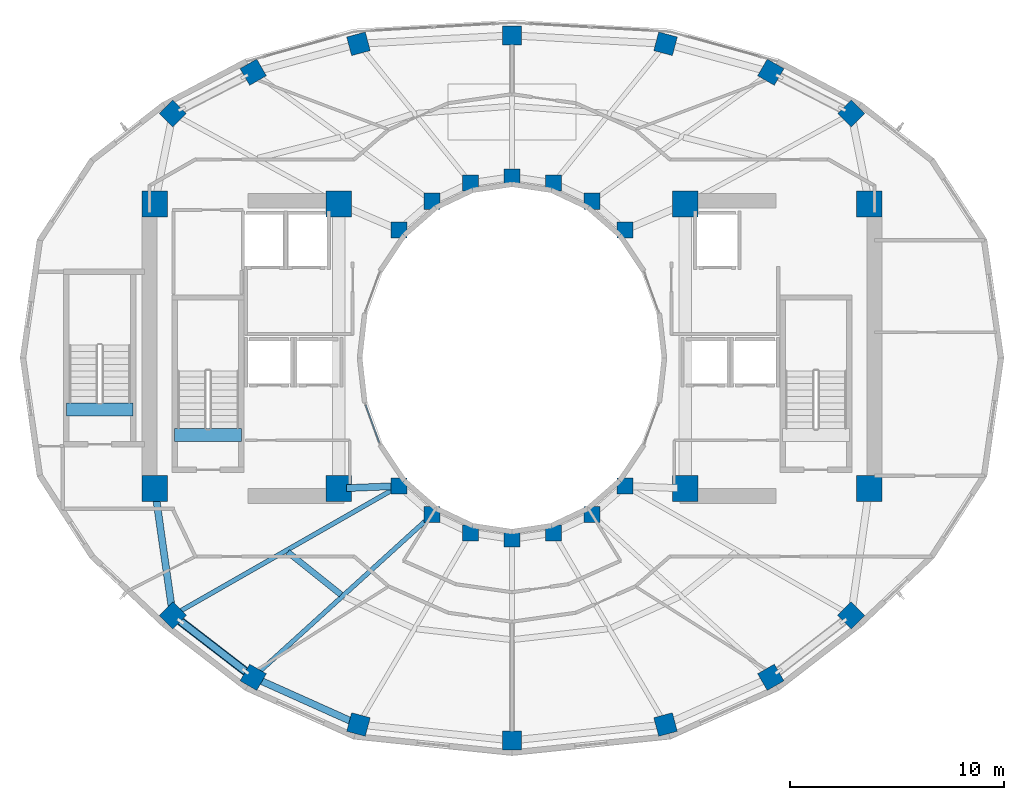
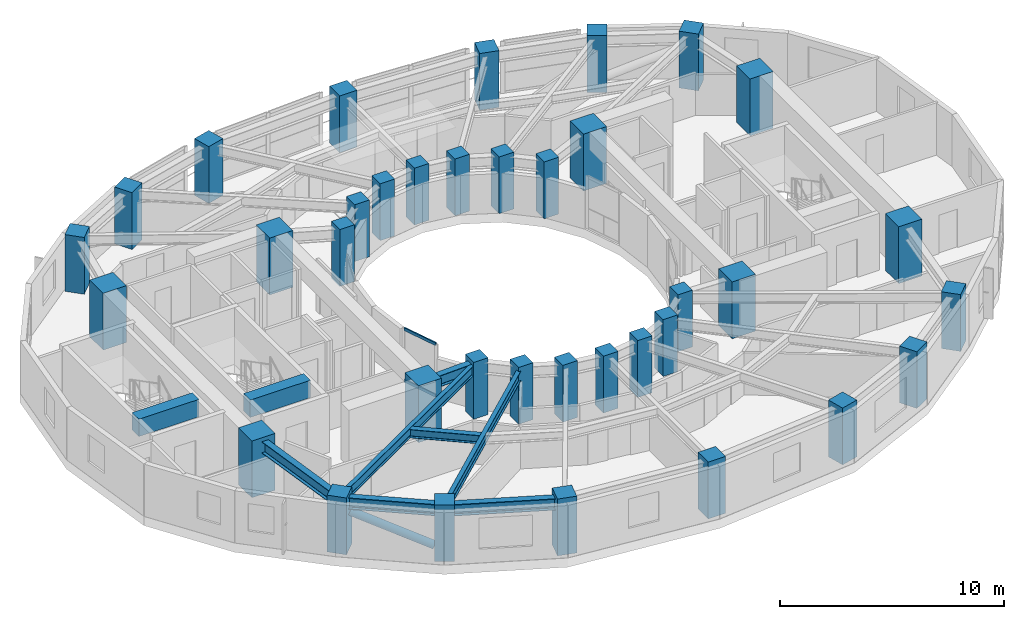
# One storey, part 1 of 20: 36 columns, 9 beams, 3 members, 1 element without a shape of its own.
"""IFC4 building model written with IfcOpenShell, lengths in metres."""

from ifc_helpers import new_model, si_unit, direction, frame, origin, origin_2d, place, context, subcontext, project, spatial, rectangle, hollow_rectangle, hollow_circle, i_section, extrude, material, layer, layer_set, material_profile, profile_set, type_object, element, aggregate, save


model = new_model("IFC4")

# Units and contexts
model_context = context("Model", 3, precision=1e-05, world=origin(), true_north=direction((0.0, 1.0)))
body_context = subcontext(model_context, "Body", "Model", "MODEL_VIEW")
ifc_project = project(units=[si_unit("LENGTHUNIT", "METRE"), si_unit("AREAUNIT", "SQUARE_METRE"), si_unit("VOLUMEUNIT", "CUBIC_METRE"), si_unit("PLANEANGLEUNIT", "RADIAN"), si_unit("MASSUNIT", "GRAM", prefix="KILO")], contexts=[model_context])

# Site, building, storey
site_placement = place(None, origin())
site = spatial("IfcSite", under=ifc_project, at=site_placement, CompositionType="ELEMENT")
building_placement = place(site_placement, origin())
building = spatial("IfcBuilding", under=site, at=building_placement, Name="Solvane Sanctuary Tower", CompositionType="ELEMENT")
storey_placement = place(building_placement, frame((0.0, 0.0, 137.39990234375)))
storey = spatial("IfcBuildingStorey", under=building, at=storey_placement, Name="L41", CompositionType="ELEMENT", Elevation=137.39990234375)

# Columns
ifc_material_1 = material(Name="Concrete C50/60", Category="concrete")
ifc_material_profile_1 = material_profile(ifc_material_1, rectangle(XDim=0.75, YDim=0.75, at=origin_2d()), Name="RC750X750")
ifc_profile_set_1 = profile_set([ifc_material_profile_1], Name="Concrete C50/60")
column_type_1 = type_object("IfcColumnType", Name="Column C-RING-Z3 RC750X750", PredefinedType="COLUMN", material=ifc_profile_set_1)
for number, where, z_axis, x_axis, name in (
    (1, (37.27490234375, 28.982177734375, 0.0), (0.0, 0.0, 1.0), (1.0, 0.0, 0.0), "L41 Inner Light-Well Ring Column IC01"),
    (2, (35.72998046875, 30.32666015625, 0.0), (0.0, 0.0, 1.0), (1.0, 0.0, 0.0), "L41 Inner Light-Well Ring Column IC02"),
    (3, (33.930908203125, 31.171630859375, 0.0), (0.0, 0.0, 1.0), (1.0, 0.0, 0.0), "L41 Inner Light-Well Ring Column IC03"),
    (4, (32.0, 31.4599609375, 0.0), (0.0, 0.0, 1.0), (1.0, 0.0, 0.0), "L41 Inner Light-Well Ring Column IC04"),
    (5, (30.069091796875, 31.171630859375, 0.0), (0.0, 0.0, 1.0), (1.0, 0.0, 0.0), "L41 Inner Light-Well Ring Column IC05"),
    (6, (28.27001953125, 30.32666015625, 0.0), (0.0, 0.0, 1.0), (1.0, 0.0, 0.0), "L41 Inner Light-Well Ring Column IC06"),
    (7, (26.72509765625, 28.982177734375, 0.0), (0.0, 0.0, 1.0), (1.0, 0.0, 0.0), "L41 Inner Light-Well Ring Column IC07"),
    (8, (26.72509765625, 17.017822265625, 0.0), (0.0, 0.0, 1.0), (1.0, 0.0, 0.0), "L41 Inner Light-Well Ring Column IC08"),
    (9, (28.27001953125, 15.67333984375, 0.0), (0.0, 0.0, 1.0), (1.0, 0.0, 0.0), "L41 Inner Light-Well Ring Column IC09"),
    (10, (30.069091796875, 14.828369140625, 0.0), (0.0, 0.0, 1.0), (1.0, 0.0, 0.0), "L41 Inner Light-Well Ring Column IC10"),
    (11, (32.0, 14.5400390625, 0.0), (0.0, 0.0, 1.0), (1.0, 0.0, 0.0), "L41 Inner Light-Well Ring Column IC11"),
    (12, (33.930908203125, 14.828369140625, 0.0), (0.0, 0.0, 1.0), (1.0, 0.0, 0.0), "L41 Inner Light-Well Ring Column IC12"),
    (13, (35.72998046875, 15.67333984375, 0.0), (0.0, 0.0, 1.0), (1.0, 0.0, 0.0), "L41 Inner Light-Well Ring Column IC13"),
    (14, (37.27490234375, 17.017822265625, 0.0), (0.0, 0.0, 1.0), (1.0, 0.0, 0.0), "L41 Inner Light-Well Ring Column IC14"),
):
    element("IfcColumn", number, at=place(storey_placement, frame(where, z_axis=z_axis, x_axis=x_axis)), inside=storey, type_object=column_type_1, Name=name, PredefinedType="COLUMN", context=body_context, shape_type="SweptSolid", body=[
        extrude(rectangle(XDim=0.75, YDim=0.75, at=origin_2d()), origin(), (0.0, 0.0, 1.0), 3.10009765625),
    ])
ifc_material_2 = material(Name="Concrete C70/85", Category="concrete")
ifc_material_profile_2 = material_profile(ifc_material_2, rectangle(XDim=1.199951171875, YDim=1.199951171875, at=origin_2d()), Name="RC1200X1200")
ifc_profile_set_2 = profile_set([ifc_material_profile_2], Name="Concrete C70/85")
column_type_2 = type_object("IfcColumnType", Name="Column C-TUBE-Z1 RC1200X1200", PredefinedType="COLUMN", material=ifc_profile_set_2)
for number, where, z_axis, x_axis, name in (
    (15, (15.300048828125, 16.89990234375, 0.0), (0.0, 0.0, 1.0), (1.0, 0.0, 0.0), "L41 Core Corner Column CW1"),
    (16, (23.89990234375, 16.89990234375, 0.0), (0.0, 0.0, 1.0), (1.0, 0.0, 0.0), "L41 Core Corner Column CW2"),
    (17, (23.89990234375, 30.199951171875, 0.0), (0.0, 0.0, 1.0), (1.0, 0.0, 0.0), "L41 Core Corner Column CW3"),
    (18, (15.300048828125, 30.199951171875, 0.0), (0.0, 0.0, 1.0), (1.0, 0.0, 0.0), "L41 Core Corner Column CW4"),
    (19, (40.10009765625, 16.89990234375, 0.0), (0.0, 0.0, 1.0), (1.0, 0.0, 0.0), "L41 Core Corner Column CE1"),
    (20, (48.699951171875, 16.89990234375, 0.0), (0.0, 0.0, 1.0), (1.0, 0.0, 0.0), "L41 Core Corner Column CE2"),
    (21, (48.699951171875, 30.199951171875, 0.0), (0.0, 0.0, 1.0), (1.0, 0.0, 0.0), "L41 Core Corner Column CE3"),
    (22, (40.10009765625, 30.199951171875, 0.0), (0.0, 0.0, 1.0), (1.0, 0.0, 0.0), "L41 Core Corner Column CE4"),
):
    element("IfcColumn", number, at=place(storey_placement, frame(where, z_axis=z_axis, x_axis=x_axis)), inside=storey, type_object=column_type_2, Name=name, PredefinedType="COLUMN", context=body_context, shape_type="SweptSolid", body=[
        extrude(rectangle(XDim=1.199951171875, YDim=1.199951171875, at=origin_2d()), origin(), (0.0, 0.0, 1.0), 3.10009765625),
    ])
ifc_material_3 = material(Name="Concrete C60/75", Category="concrete")
ifc_material_profile_3 = material_profile(ifc_material_3, rectangle(XDim=0.89990234375, YDim=0.89990234375, at=origin_2d()), Name="RC900X900")
ifc_profile_set_3 = profile_set([ifc_material_profile_3], Name="Concrete C60/75")
column_type_3 = type_object("IfcColumnType", Name="Column C-TUBE-Z3 RC900X900", PredefinedType="COLUMN", material=ifc_profile_set_3)
for number, where, z_axis, x_axis, name in (
    (23, (47.856689453125, 34.426513671875, 0.0), (0.0, 0.0, 1.0), (0.707106781187, 0.707106781187, 0.0), "L41 Perimeter Tube Column TC01"),
    (24, (44.09814453125, 36.359375, 0.0), (0.0, 0.0, 1.0), (0.5, 0.866025403784, 0.0), "L41 Perimeter Tube Column TC02"),
    (25, (39.17822265625, 37.686767578125, 0.0), (0.0, 0.0, 1.0), (0.258819045103, 0.965925826289, 0.0), "L41 Perimeter Tube Column TC03"),
    (26, (32.0, 38.080078125, 0.0), (0.0, 0.0, 1.0), (0.0, 1.0, 0.0), "L41 Perimeter Tube Column TC04"),
    (27, (24.82177734375, 37.686767578125, 0.0), (0.0, 0.0, 1.0), (-0.258819045103, 0.965925826289, 0.0), "L41 Perimeter Tube Column TC05"),
    (28, (19.90185546875, 36.359375, 0.0), (0.0, 0.0, 1.0), (-0.5, 0.866025403784, 0.0), "L41 Perimeter Tube Column TC06"),
    (29, (16.143310546875, 34.426513671875, 0.0), (0.0, 0.0, 1.0), (-0.707106781187, 0.707106781187, 0.0), "L41 Perimeter Tube Column TC07"),
    (30, (16.143310546875, 10.968994140625, 0.0), (0.0, 0.0, 1.0), (-0.707106781187, -0.707106781187, 0.0), "L41 Perimeter Tube Column TC08"),
    (31, (19.90185546875, 8.072021484375, 0.0), (0.0, 0.0, 1.0), (-0.5, -0.866025403784, 0.0), "L41 Perimeter Tube Column TC09"),
    (32, (24.82177734375, 5.865478515625, 0.0), (0.0, 0.0, 1.0), (-0.258819045103, -0.965925826289, 0.0), "L41 Perimeter Tube Column TC10"),
    (33, (32.0, 5.1201171875, 0.0), (0.0, 0.0, 1.0), (0.0, -1.0, 0.0), "L41 Perimeter Tube Column TC11"),
    (34, (39.17822265625, 5.865478515625, 0.0), (0.0, 0.0, 1.0), (0.258819045103, -0.965925826289, 0.0), "L41 Perimeter Tube Column TC12"),
    (35, (44.09814453125, 8.072021484375, 0.0), (0.0, 0.0, 1.0), (0.5, -0.866025403784, 0.0), "L41 Perimeter Tube Column TC13"),
    (36, (47.856689453125, 10.968994140625, 0.0), (0.0, 0.0, 1.0), (0.707106781187, -0.707106781187, 0.0), "L41 Perimeter Tube Column TC14"),
):
    element("IfcColumn", number, at=place(storey_placement, frame(where, z_axis=z_axis, x_axis=x_axis)), inside=storey, type_object=column_type_3, Name=name, PredefinedType="COLUMN", context=body_context, shape_type="SweptSolid", body=[
        extrude(rectangle(XDim=0.89990234375, YDim=0.89990234375, at=origin_2d()), origin(), (0.0, 0.0, 1.0), 3.10009765625),
    ])

# Beams
ifc_material_profile_4 = material_profile(ifc_material_2, rectangle(XDim=0.60009765625, YDim=0.949951171875, at=origin_2d()), Name="RC600X950")
ifc_profile_set_4 = profile_set([ifc_material_profile_4], Name="Concrete C70/85")
beam_type_1 = type_object("IfcBeamType", Name="Beam B-COUPLE RC600X950", PredefinedType="LINTEL", material=ifc_profile_set_4)
for number, where, z_axis, x_axis, name in (
    (37, (16.22998046875, 19.399169921875, 2.625), (1.0, 0.0, 0.0), (0.0, 1.0, 0.0), "L41 ST-1 Stair Floor Landing Trimmer"),
    (38, (11.169921875, 20.59912109375, 2.625), (1.0, 0.0, 0.0), (0.0, 1.0, 0.0), "L41 ST-3 Stair Floor Landing Trimmer"),
):
    element("IfcBeam", number, at=place(storey_placement, frame(where, z_axis=z_axis, x_axis=x_axis)), inside=storey, type_object=beam_type_1, Name=name, PredefinedType="LINTEL", context=body_context, shape_type="SweptSolid", body=[
        extrude(rectangle(XDim=0.60009765625, YDim=0.949951171875, at=origin_2d()), origin(), (0.0, 0.0, 1.0), 3.1201171875),
    ])
ifc_material_4 = material(Name="Steel ASTM A992 Grade 50", Category="steel")
ifc_material_profile_5 = material_profile(ifc_material_4, i_section(OverallWidth=0.214111328125, OverallDepth=0.549072265625, WebThickness=0.0146484375, FlangeThickness=0.023681640625, FilletRadius=0.014892578125, at=origin_2d()), Name="W21X93")
ifc_profile_set_5 = profile_set([ifc_material_profile_5], Name="Steel ASTM A992 Grade 50")
beam_type_2 = type_object("IfcBeamType", Name="Beam B-RAD-Z3 W21X93", PredefinedType="JOIST", material=ifc_profile_set_5)
beam_1_placement = place(storey_placement, frame((26.48193359375, 16.87890625, 2.603515625), z_axis=(-0.86816302692, -0.496279113694, 0.0), x_axis=(0.496279113694, -0.86816302692, 0.0)))
element("IfcBeam", 39, at=beam_1_placement, inside=storey, type_object=beam_type_2, Name="L41 Radial Composite Floor Beam 08", PredefinedType="JOIST", context=body_context, shape_type="SweptSolid", body=[
    extrude(i_section(OverallWidth=0.214111328125, OverallDepth=0.549072265625, WebThickness=0.0146484375, FlangeThickness=0.023681640625, FilletRadius=0.014892578125, at=origin_2d()), origin(), (0.0, 0.0, 1.0), 11.62841796875),
])
beam_2_placement = place(storey_placement, frame((28.062744140625, 15.485107421875, 2.603515625), z_axis=(-0.74020423772, -0.672382098558, 0.0), x_axis=(0.672382098558, -0.74020423772, 0.0)))
element("IfcBeam", 40, at=beam_2_placement, inside=storey, type_object=beam_type_2, Name="L41 Radial Composite Floor Beam 09", PredefinedType="JOIST", context=body_context, shape_type="SweptSolid", body=[
    extrude(i_section(OverallWidth=0.214111328125, OverallDepth=0.549072265625, WebThickness=0.0146484375, FlangeThickness=0.023681640625, FilletRadius=0.014892578125, at=origin_2d()), origin(), (0.0, 0.0, 1.0), 10.7451171875),
])
ifc_material_profile_6 = material_profile(ifc_material_4, i_section(OverallWidth=0.324951171875, OverallDepth=0.615966796875, WebThickness=0.013916015625, FlangeThickness=0.021484375, FilletRadius=0.01611328125, at=origin_2d()), Name="W24X117")
ifc_profile_set_6 = profile_set([ifc_material_profile_6], Name="Steel ASTM A992 Grade 50")
beam_type_3 = type_object("IfcBeamType", Name="Beam B-RING-IN2 W24X117", PredefinedType="BEAM", material=ifc_profile_set_6)
beam_3_placement = place(storey_placement, frame((24.259765625, 16.9150390625, 2.570068359375), z_axis=(0.999132674336, 0.041640113759, 0.0), x_axis=(-0.041640113759, 0.999132674336, 0.0)))
element("IfcBeam", 41, at=beam_3_placement, inside=storey, type_object=beam_type_3, Name="L41 Inner Light-Well Ring Beam CW2-IC08", PredefinedType="BEAM", context=body_context, shape_type="SweptSolid", body=[
    extrude(i_section(OverallWidth=0.324951171875, OverallDepth=0.615966796875, WebThickness=0.013916015625, FlangeThickness=0.021484375, FilletRadius=0.01611328125, at=origin_2d()), origin(), (0.0, 0.0, 1.0), 2.12255859375),
])
ifc_material_profile_7 = material_profile(ifc_material_4, i_section(OverallWidth=0.280029296875, OverallDepth=0.462890625, WebThickness=0.0107421875, FlangeThickness=0.017333984375, FilletRadius=0.013916015625, at=origin_2d()), Name="W18X76")
ifc_profile_set_7 = profile_set([ifc_material_profile_7], Name="Steel ASTM A992 Grade 50")
beam_type_4 = type_object("IfcBeamType", Name="Beam B-SEC-JOIST W18X76", PredefinedType="JOIST", material=ifc_profile_set_7)
beam_4_placement = place(storey_placement, frame((21.513916015625, 13.9296875, 2.646484375), z_axis=(0.780950896308, -0.62459242515, 0.0), x_axis=(0.62459242515, 0.780950896308, 0.0)))
element("IfcBeam", 42, at=beam_4_placement, inside=storey, type_object=beam_type_4, Name="L41 Secondary Circumferential Joist 08-09", PredefinedType="JOIST", context=body_context, shape_type="SweptSolid", body=[
    extrude(i_section(OverallWidth=0.280029296875, OverallDepth=0.462890625, WebThickness=0.0107421875, FlangeThickness=0.017333984375, FilletRadius=0.013916015625, at=origin_2d()), origin(), (0.0, 0.0, 1.0), 3.191650390625),
])
ifc_material_profile_8 = material_profile(ifc_material_4, i_section(OverallWidth=0.327880859375, OverallDepth=0.6279296875, WebThickness=0.0166015625, FlangeThickness=0.027587890625, FilletRadius=0.01611328125, at=origin_2d()), Name="W24X146")
ifc_profile_set_8 = profile_set([ifc_material_profile_8], Name="Steel ASTM A992 Grade 50")
beam_type_5 = type_object("IfcBeamType", Name="Beam B-SPAND-Z3 W24X146", PredefinedType="SPANDREL", material=ifc_profile_set_8)
beam_5_placement = place(storey_placement, frame((15.33935546875, 16.622802734375, 2.564208984375), z_axis=(0.140798255486, -0.990038307972, 0.0), x_axis=(0.990038307972, 0.140798255486, 0.0)))
element("IfcBeam", 43, at=beam_5_placement, inside=storey, type_object=beam_type_5, Name="L41 Perimeter Spandrel Beam CW1-TC08", PredefinedType="SPANDREL", context=body_context, shape_type="SweptSolid", body=[
    extrude(i_section(OverallWidth=0.327880859375, OverallDepth=0.6279296875, WebThickness=0.0166015625, FlangeThickness=0.027587890625, FilletRadius=0.01611328125, at=origin_2d()), origin(), (0.0, 0.0, 1.0), 5.430908203125),
])
beam_6_placement = place(storey_placement, frame((16.365234375, 10.798095703125, 2.564208984375), z_axis=(0.792020773873, -0.610494139001, 0.0), x_axis=(0.610494139001, 0.792020773873, 0.0)))
element("IfcBeam", 44, at=beam_6_placement, inside=storey, type_object=beam_type_5, Name="L41 Perimeter Spandrel Beam TC08-TC09", PredefinedType="SPANDREL", context=body_context, shape_type="SweptSolid", body=[
    extrude(i_section(OverallWidth=0.327880859375, OverallDepth=0.6279296875, WebThickness=0.0166015625, FlangeThickness=0.027587890625, FilletRadius=0.01611328125, at=origin_2d()), origin(), (0.0, 0.0, 1.0), 4.185302734375),
])
beam_7_placement = place(storey_placement, frame((20.157470703125, 7.95751953125, 2.564208984375), z_axis=(0.912414349424, -0.409267705744, 0.0), x_axis=(0.409267705744, 0.912414349424, 0.0)))
element("IfcBeam", 45, at=beam_7_placement, inside=storey, type_object=beam_type_5, Name="L41 Perimeter Spandrel Beam TC09-TC10", PredefinedType="SPANDREL", context=body_context, shape_type="SweptSolid", body=[
    extrude(i_section(OverallWidth=0.327880859375, OverallDepth=0.6279296875, WebThickness=0.0166015625, FlangeThickness=0.027587890625, FilletRadius=0.01611328125, at=origin_2d()), origin(), (0.0, 0.0, 1.0), 4.831787109375),
])

# Curtain wall, members
ifc_material_5 = material(Name="Anodised Aluminium 6063-T6", Category="aluminium")
ifc_layer = layer(ifc_material_5, 0.199951171875, Name="Anodised Aluminium 6063-T6")
ifc_layer_set = layer_set([ifc_layer], Name="Anodised Aluminium 6063-T6")
curtain_wall_type = type_object("IfcCurtainWallType", Name="Curtain Wall CW-WELL", PredefinedType="NOTDEFINED", material=ifc_layer_set)
curtain_wall_placement = place(storey_placement, origin())
curtain_wall = element("IfcCurtainWall", 46, at=curtain_wall_placement, inside=storey, type_object=curtain_wall_type, Name="L41 Light-Well Glazed Curtain Wall 13", PredefinedType="NOTDEFINED")
ifc_material_profile_9 = material_profile(ifc_material_5, hollow_rectangle(XDim=0.06494140625, YDim=0.159912109375, WallThickness=0.00341796875, at=origin_2d()), Name="ALU160X65X3.5")
ifc_profile_set_9 = profile_set([ifc_material_profile_9], Name="Anodised Aluminium 6063-T6")
member_type_1 = type_object("IfcMemberType", Name="Member M-CW-TRN-1 ALU160X65X3.5", PredefinedType="USERDEFINED", material=ifc_profile_set_9)
member_1_placement = place(storey_placement, frame((25.161865234375, 20.790283203125, 0.03271484375), z_axis=(0.341404620561, -0.939916424508, 0.0), x_axis=(0.939916424508, 0.341404620561, 0.0)))
member_1 = element("IfcMember", 47, at=member_1_placement, type_object=member_type_1, Name="CW-WELL transom 1.1", ObjectType="TRANSOM", PredefinedType="USERDEFINED", context=body_context, shape_type="SweptSolid", body=[
    extrude(hollow_rectangle(XDim=0.06494140625, YDim=0.159912109375, WallThickness=0.00341796875, at=origin_2d()), origin(), (0.0, 0.0, 1.0), 1.853515625),
])
member_2_placement = place(storey_placement, frame((25.161865234375, 20.790283203125, 2.84765625), z_axis=(0.341404620561, -0.939916424508, 0.0), x_axis=(0.939916424508, 0.341404620561, 0.0)))
member_2 = element("IfcMember", 48, at=member_2_placement, type_object=member_type_1, Name="CW-WELL transom 1.2", ObjectType="TRANSOM", PredefinedType="USERDEFINED", context=body_context, shape_type="SweptSolid", body=[
    extrude(hollow_rectangle(XDim=0.06494140625, YDim=0.159912109375, WallThickness=0.00341796875, at=origin_2d()), origin(), (0.0, 0.0, 1.0), 1.853515625),
])
aggregate(curtain_wall, [member_1, member_2])

# Member
ifc_material_profile_10 = material_profile(ifc_material_4, hollow_circle(Radius=0.202880859375, WallThickness=0.012451171875, at=origin_2d()), Name="CHS406X12.5")
ifc_profile_set_10 = profile_set([ifc_material_profile_10], Name="Steel ASTM A992 Grade 50")
member_type_2 = type_object("IfcMemberType", Name="Member M-TUBE-Z3 CHS406X12.5", PredefinedType="BRACE", material=ifc_profile_set_10)
member_3_placement = place(storey_placement, frame((19.534912109375, 8.354736328125, 0.562744140625), z_axis=(-0.73686018058, 0.568005062922, 0.366616042707), x_axis=(-0.610513708364, -0.792005689311, 0.0)))
element("IfcMember", 49, at=member_3_placement, inside=storey, type_object=member_type_2, Name="L41 Perimeter Braced-Tube Diagonal SW", PredefinedType="BRACE", context=body_context, shape_type="SweptSolid", body=[
    extrude(hollow_circle(Radius=0.202880859375, WallThickness=0.012451171875, at=origin_2d()), origin(), (0.0, 0.0, 1.0), 4.104736328125),
])

save(model, "model.ifc")
